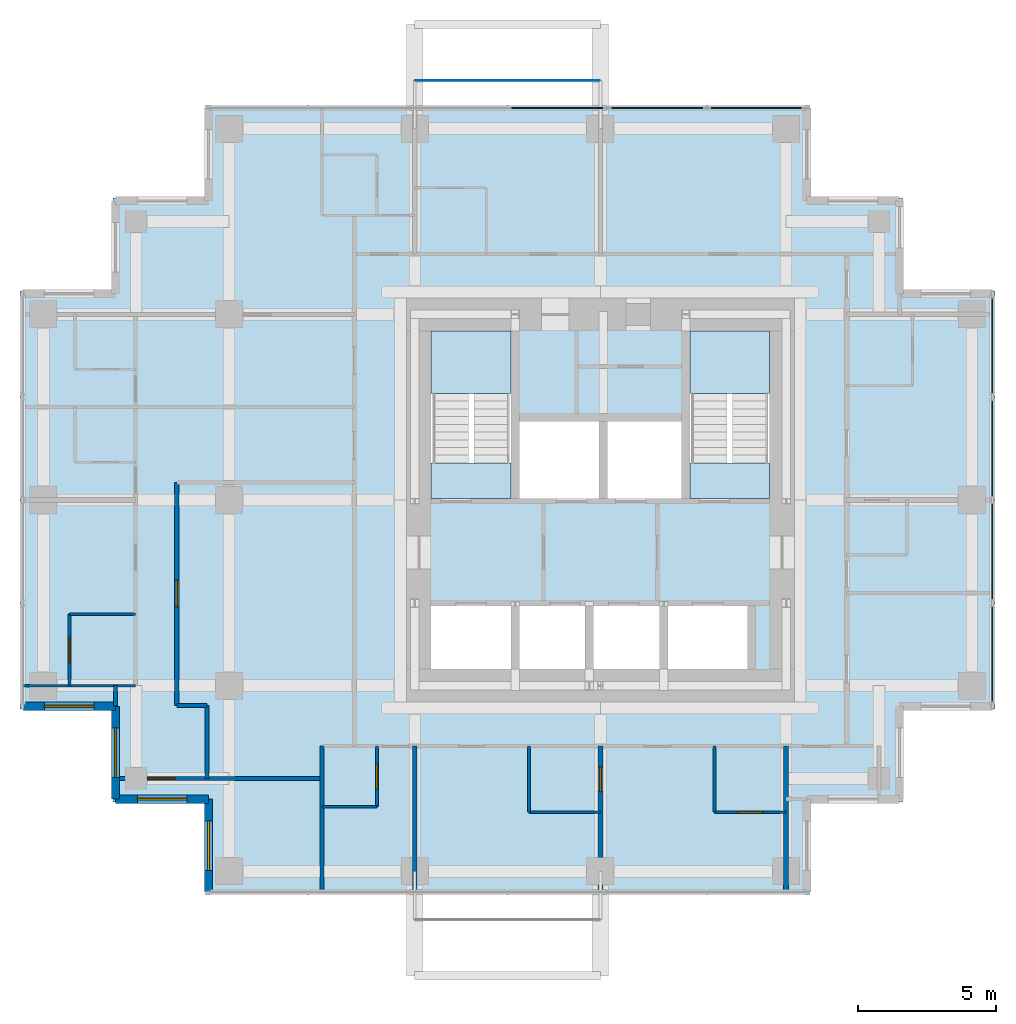
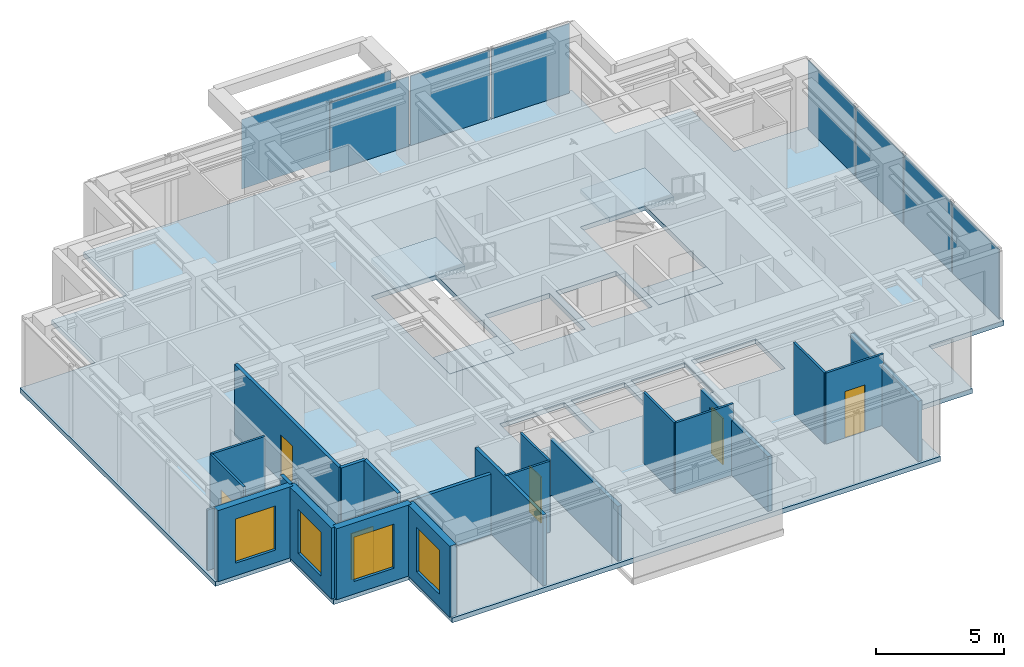
# One storey, part 3 of 8: 22 walls, 8 plates, 6 doors, 5 slabs, 4 windows, 10 openings, 4 elements without a shape of their own.
"""IFC4 building model written with IfcOpenShell, lengths in metres."""

from ifc_helpers import new_model, si_unit, direction, frame, frame_2d, origin, origin_2d, place, context, subcontext, project, spatial, polyline, rectangle, outline, extrude, material, layer, layer_set, type_object, element, fill, aggregate, save


model = new_model("IFC4")

# Units and contexts
model_context = context("Model", 3, precision=1e-05, world=origin(), true_north=direction((0.0, 1.0)))
body_context = subcontext(model_context, "Body", "Model", "MODEL_VIEW")
ifc_project = project(units=[si_unit("LENGTHUNIT", "METRE"), si_unit("AREAUNIT", "SQUARE_METRE"), si_unit("VOLUMEUNIT", "CUBIC_METRE"), si_unit("PLANEANGLEUNIT", "RADIAN"), si_unit("MASSUNIT", "GRAM", prefix="KILO")], contexts=[model_context])

# Site, building, storey
site_placement = place(None, origin())
site = spatial("IfcSite", under=ifc_project, at=site_placement, CompositionType="ELEMENT")
building_placement = place(site_placement, origin())
building = spatial("IfcBuilding", under=site, at=building_placement, Name="Nyansa Garden Tower", CompositionType="ELEMENT")
storey_placement = place(building_placement, frame((0.0, 0.0, 229.5)))
storey = spatial("IfcBuildingStorey", under=building, at=storey_placement, Name="L62", CompositionType="ELEMENT", Elevation=229.5)

# Curtain wall, plates
ifc_material_1 = material(Name="Black anodised aluminium, dark tinted double glazing", Category="aluminium")
curtain_wall_type = type_object("IfcCurtainWallType", Name="Inner skin curtain wall ISW-D", PredefinedType="USERDEFINED", material=ifc_material_1)
curtain_wall_1_placement = place(storey_placement, origin())
curtain_wall_1 = element("IfcCurtainWall", 1, at=curtain_wall_1_placement, inside=storey, type_object=curtain_wall_type, Name="Inner skin curtain wall L62 E", ObjectType="UNITISED CURTAIN WALL", PredefinedType="USERDEFINED")
ifc_material_2 = material(Name="Dark tinted laminated double glazing", Category="glass")
ifc_layer_1 = layer(ifc_material_2, 0.0439453125)
ifc_layer_set_1 = layer_set([ifc_layer_1], Name="Dark tinted vision panel VP-D")
plate_type_1 = type_object("IfcPlateType", Name="Dark tinted vision panel VP-D", PredefinedType="CURTAIN_PANEL", material=ifc_layer_set_1)
plate_1_placement = place(storey_placement, frame((34.5, 14.642578125, 0.0), z_axis=(0.0, 0.0, 1.0), x_axis=(0.0, 1.0, 0.0)))
plate_1 = element("IfcPlate", 2, at=plate_1_placement, type_object=plate_type_1, Name="ISW-D panel 1", PredefinedType="CURTAIN_PANEL", context=body_context, shape_type="SweptSolid", body=[
    extrude(rectangle(XDim=3.64501953125, YDim=0.0439453125, at=origin_2d()), origin(), (0.0, 0.0, 1.0), 3.304931640625),
])
plate_2_placement = place(storey_placement, frame((34.5, 18.375, 0.0), z_axis=(0.0, 0.0, 1.0), x_axis=(0.0, 1.0, 0.0)))
plate_2 = element("IfcPlate", 3, at=plate_2_placement, type_object=plate_type_1, Name="ISW-D panel 2", PredefinedType="CURTAIN_PANEL", context=body_context, shape_type="SweptSolid", body=[
    extrude(rectangle(XDim=3.679931640625, YDim=0.0439453125, at=origin_2d()), origin(), (0.0, 0.0, 1.0), 3.304931640625),
])
plate_3_placement = place(storey_placement, frame((34.5, 22.125, 0.0), z_axis=(0.0, 0.0, 1.0), x_axis=(0.0, 1.0, 0.0)))
plate_3 = element("IfcPlate", 4, at=plate_3_placement, type_object=plate_type_1, Name="ISW-D panel 3", PredefinedType="CURTAIN_PANEL", context=body_context, shape_type="SweptSolid", body=[
    extrude(rectangle(XDim=3.679931640625, YDim=0.0439453125, at=origin_2d()), origin(), (0.0, 0.0, 1.0), 3.304931640625),
])
plate_4_placement = place(storey_placement, frame((34.5, 25.857421875, 0.0), z_axis=(0.0, 0.0, 1.0), x_axis=(0.0, 1.0, 0.0)))
plate_4 = element("IfcPlate", 5, at=plate_4_placement, type_object=plate_type_1, Name="ISW-D panel 4", PredefinedType="CURTAIN_PANEL", context=body_context, shape_type="SweptSolid", body=[
    extrude(rectangle(XDim=3.64501953125, YDim=0.0439453125, at=origin_2d()), origin(), (0.0, 0.0, 1.0), 3.304931640625),
])
aggregate(curtain_wall_1, [plate_1, plate_2, plate_3, plate_4])

curtain_wall_2_placement = place(storey_placement, origin())
curtain_wall_2 = element("IfcCurtainWall", 6, at=curtain_wall_2_placement, inside=storey, type_object=curtain_wall_type, Name="Inner skin curtain wall L62 N", ObjectType="UNITISED CURTAIN WALL", PredefinedType="USERDEFINED")
plate_5_placement = place(storey_placement, frame((25.919921875, 34.5, 0.0), z_axis=(0.0, 0.0, 1.0), x_axis=(-1.0, 0.0, 0.0)))
plate_5 = element("IfcPlate", 7, at=plate_5_placement, type_object=plate_type_1, Name="ISW-D panel 1", PredefinedType="CURTAIN_PANEL", context=body_context, shape_type="SweptSolid", body=[
    extrude(rectangle(XDim=3.52001953125, YDim=0.0439453125, at=origin_2d()), origin(), (0.0, 0.0, 1.0), 3.304931640625),
])
plate_6_placement = place(storey_placement, frame((22.3125, 34.5, 0.0), z_axis=(0.0, 0.0, 1.0), x_axis=(-1.0, 0.0, 0.0)))
plate_6 = element("IfcPlate", 8, at=plate_6_placement, type_object=plate_type_1, Name="ISW-D panel 2", PredefinedType="CURTAIN_PANEL", context=body_context, shape_type="SweptSolid", body=[
    extrude(rectangle(XDim=3.554931640625, YDim=0.0439453125, at=origin_2d()), origin(), (0.0, 0.0, 1.0), 3.304931640625),
])
plate_7_placement = place(storey_placement, frame((18.6875, 34.5, 0.0), z_axis=(0.0, 0.0, 1.0), x_axis=(-1.0, 0.0, 0.0)))
plate_7 = element("IfcPlate", 9, at=plate_7_placement, type_object=plate_type_1, Name="ISW-D panel 3", PredefinedType="CURTAIN_PANEL", context=body_context, shape_type="SweptSolid", body=[
    extrude(rectangle(XDim=3.554931640625, YDim=0.0439453125, at=origin_2d()), origin(), (0.0, 0.0, 1.0), 3.304931640625),
])
aggregate(curtain_wall_2, [plate_5, plate_6, plate_7])

# Slab
ifc_material_3 = material(Name="Concrete C40/50", Category="concrete")
ifc_layer_2 = layer(ifc_material_3, 0.22509765625)
ifc_layer_set_2 = layer_set([ifc_layer_2], Name="Floor slab FS225")
slab_type_1 = type_object("IfcSlabType", Name="Floor slab FS225", PredefinedType="FLOOR", material=ifc_layer_set_2)
slab_1_placement = place(storey_placement, frame((0.0, 0.0, -0.22509765625)))
element("IfcSlab", 10, at=slab_1_placement, inside=storey, type_object=slab_type_1, Name="Floor slab L62", PredefinedType="FLOOR", context=body_context, shape_type="SweptSolid", body=[
    extrude(outline(polyline([(34.60009765625, 12.64990234375), (31.22509765625, 12.64990234375), (31.22509765625, 9.27490234375), (27.85009765625, 9.27490234375), (27.85009765625, 5.89990234375), (5.89990234375, 5.89990234375), (5.89990234375, 9.27490234375), (2.52490234375, 9.27490234375), (2.52490234375, 12.64990234375), (-0.85009765625, 12.64990234375), (-0.85009765625, 27.85009765625), (2.52490234375, 27.85009765625), (2.52490234375, 31.22509765625), (5.89990234375, 31.22509765625), (5.89990234375, 34.60009765625), (27.85009765625, 34.60009765625), (27.85009765625, 31.22509765625), (31.22509765625, 31.22509765625), (31.22509765625, 27.85009765625), (34.60009765625, 27.85009765625), (34.60009765625, 12.64990234375)]), holes=[polyline([(14.10009765625, 14.10009765625), (17.0, 14.10009765625), (17.0, 16.39990234375), (14.10009765625, 16.39990234375), (14.10009765625, 14.10009765625)]), polyline([(17.300048828125, 14.10009765625), (19.699951171875, 14.10009765625), (19.699951171875, 16.39990234375), (17.300048828125, 16.39990234375), (17.300048828125, 14.10009765625)]), polyline([(20.0, 14.10009765625), (22.39990234375, 14.10009765625), (22.39990234375, 16.39990234375), (20.0, 16.39990234375), (20.0, 14.10009765625)]), polyline([(22.699951171875, 14.10009765625), (25.60009765625, 14.10009765625), (25.60009765625, 16.39990234375), (22.699951171875, 16.39990234375), (22.699951171875, 14.10009765625)]), polyline([(17.300048828125, 20.300048828125), (20.199951171875, 20.300048828125), (20.199951171875, 23.10009765625), (17.300048828125, 23.10009765625), (17.300048828125, 20.300048828125)]), polyline([(20.5, 20.300048828125), (23.199951171875, 20.300048828125), (23.199951171875, 23.10009765625), (20.5, 23.10009765625), (20.5, 20.300048828125)]), polyline([(14.10009765625, 20.300048828125), (17.0, 20.300048828125), (17.0, 26.39990234375), (14.10009765625, 26.39990234375), (14.10009765625, 20.300048828125)]), polyline([(23.5, 20.300048828125), (26.39990234375, 20.300048828125), (26.39990234375, 26.39990234375), (23.5, 26.39990234375), (23.5, 20.300048828125)])]), origin(), (0.0, 0.0, 1.0), 0.22509765625),
])

# Plate
ifc_material_4 = material(Name="Dark tinted laminated glass", Category="glass")
ifc_layer_3 = layer(ifc_material_4, 0.02392578125)
ifc_layer_set_3 = layer_set([ifc_layer_3], Name="Outer skin glass panel OS1")
plate_type_2 = type_object("IfcPlateType", Name="Outer skin glass panel OS1", PredefinedType="USERDEFINED", material=ifc_layer_set_3)
plate_8_placement = place(storey_placement, frame((16.875, 35.5, -0.22509765625), z_axis=(0.0, 0.0, 1.0), x_axis=(1.0, 0.0, 0.0)))
element("IfcPlate", 11, at=plate_8_placement, inside=storey, type_object=plate_type_2, Name="Outer skin glass panel L62", ObjectType="OUTER SKIN GLASS", PredefinedType="USERDEFINED", context=body_context, shape_type="SweptSolid", body=[
    extrude(rectangle(XDim=6.7099609375, YDim=0.02392578125, at=origin_2d()), origin(), (0.0, 0.0, 1.0), 3.300048828125),
])

# Stair, slabs
ifc_material_5 = material(Name="Precast concrete C40/50", Category="concrete")
stair_type_1 = type_object("IfcStairType", Name="Stair S1 180x280", PredefinedType="HALF_TURN_STAIR", material=ifc_material_5)
stair_1_placement = place(storey_placement, origin())
stair_1 = element("IfcStair", 12, at=stair_1_placement, inside=storey, type_object=stair_type_1, Name="Stair S1 L62", PredefinedType="HALF_TURN_STAIR")
ifc_material_6 = material(Name="Concrete C40/50", Category="concrete")
ifc_layer_4 = layer(ifc_material_6, 0.199951171875)
ifc_layer_set_4 = layer_set([ifc_layer_4], Name="Stair landing SL200")
slab_type_2 = type_object("IfcSlabType", Name="Stair landing SL200", PredefinedType="LANDING", material=ifc_layer_set_4)
slab_2_placement = place(storey_placement, frame((0.0, 0.0, -0.199951171875)))
slab_2 = element("IfcSlab", 13, at=slab_2_placement, type_object=slab_type_2, Name="S1 landing 1", PredefinedType="LANDING", context=body_context, shape_type="SweptSolid", body=[
    extrude(outline(polyline([(14.10009765625, 20.300048828125), (17.0, 20.300048828125), (17.0, 21.60009765625), (14.10009765625, 21.60009765625), (14.10009765625, 20.300048828125)])), origin(), (0.0, 0.0, 1.0), 0.199951171875),
])
slab_3_placement = place(storey_placement, frame((0.0, 0.0, 1.60009765625)))
slab_3 = element("IfcSlab", 14, at=slab_3_placement, type_object=slab_type_2, Name="S1 landing 2", PredefinedType="LANDING", context=body_context, shape_type="SweptSolid", body=[
    extrude(outline(polyline([(14.10009765625, 24.1201171875), (17.0, 24.1201171875), (17.0, 26.39990234375), (14.10009765625, 26.39990234375), (14.10009765625, 24.1201171875)])), origin(), (0.0, 0.0, 1.0), 0.199951171875),
])
aggregate(stair_1, [slab_2, slab_3])

ifc_material_7 = material(Name="Precast concrete C40/50", Category="concrete")
stair_type_2 = type_object("IfcStairType", Name="Stair S2 180x280", PredefinedType="HALF_TURN_STAIR", material=ifc_material_7)
stair_2_placement = place(storey_placement, origin())
stair_2 = element("IfcStair", 15, at=stair_2_placement, inside=storey, type_object=stair_type_2, Name="Stair S2 L62", PredefinedType="HALF_TURN_STAIR")
slab_4_placement = place(storey_placement, frame((0.0, 0.0, -0.199951171875)))
slab_4 = element("IfcSlab", 16, at=slab_4_placement, type_object=slab_type_2, Name="S2 landing 1", PredefinedType="LANDING", context=body_context, shape_type="SweptSolid", body=[
    extrude(outline(polyline([(23.5, 20.300048828125), (26.39990234375, 20.300048828125), (26.39990234375, 21.60009765625), (23.5, 21.60009765625), (23.5, 20.300048828125)])), origin(), (0.0, 0.0, 1.0), 0.199951171875),
])
slab_5_placement = place(storey_placement, frame((0.0, 0.0, 1.60009765625)))
slab_5 = element("IfcSlab", 17, at=slab_5_placement, type_object=slab_type_2, Name="S2 landing 2", PredefinedType="LANDING", context=body_context, shape_type="SweptSolid", body=[
    extrude(outline(polyline([(23.5, 24.1201171875), (26.39990234375, 24.1201171875), (26.39990234375, 26.39990234375), (23.5, 26.39990234375), (23.5, 24.1201171875)])), origin(), (0.0, 0.0, 1.0), 0.199951171875),
])
aggregate(stair_2, [slab_4, slab_5])

# Wall
ifc_material_8 = material(Name="Dense blockwork, plastered both sides, 55 dB", Category="masonry")
ifc_layer_5 = layer(ifc_material_8, 0.175048828125)
ifc_layer_set_5 = layer_set([ifc_layer_5], Name="Acoustic party wall PW175")
wall_type_1 = type_object("IfcWallType", Name="Acoustic party wall PW175", PredefinedType="PARTITIONING", material=ifc_layer_set_5)
wall_1_placement = place(storey_placement, frame((13.5, 6.01611328125, 0.0), z_axis=(0.0, 0.0, 1.0), x_axis=(0.0, 1.0, 0.0)))
element("IfcWall", 18, at=wall_1_placement, inside=storey, type_object=wall_type_1, Name="Party wall", PredefinedType="PARTITIONING", context=body_context, shape_type="SweptSolid", body=[
    extrude(rectangle(XDim=5.283935546875, YDim=0.175048828125, at=frame_2d((2.64208984375, 0.0))), origin(), (0.0, 0.0, 1.0), 2.610107421875),
])

# Wall, opening, door
wall_2_placement = place(storey_placement, frame((20.25, 6.01611328125, 0.0), z_axis=(0.0, 0.0, 1.0), x_axis=(0.0, 1.0, 0.0)))
wall_2 = element("IfcWall", 19, at=wall_2_placement, inside=storey, type_object=wall_type_1, Name="Party wall", PredefinedType="PARTITIONING", context=body_context, shape_type="SweptSolid", body=[
    extrude(rectangle(XDim=5.283935546875, YDim=0.175048828125, at=frame_2d((2.64208984375, 0.0))), origin(), (0.0, 0.0, 1.0), 2.610107421875),
])
opening_1_placement = place(wall_2_placement, frame((3.634033203125, 0.0, 0.0)))
opening_1 = element("IfcOpeningElement", 20, at=opening_1_placement, cuts=wall_2, Name="Opening D02", PredefinedType="OPENING", context=body_context, shape_type="SweptSolid", body=[
    extrude(rectangle(XDim=0.89990234375, YDim=2.199951171875, at=frame_2d((0.449951171875, 1.10009765625))), frame((0.0, 0.097412109375, 0.0), z_axis=(0.0, -1.0, 0.0), x_axis=(1.0, 0.0, 0.0)), (0.0, 0.0, 1.0), 0.195068359375),
])
ifc_material_9 = material(Name="Timber flush door", Category="wood")
door_type_1 = type_object("IfcDoorType", Name="En-suite door D02 900x2200", OperationType="SINGLE_SWING_RIGHT", PredefinedType="DOOR", material=ifc_material_9)
door_1_placement = place(opening_1_placement, origin())
door_1 = element("IfcDoor", 21, at=door_1_placement, inside=storey, type_object=door_type_1, Name="Door L62-022", OperationType="SINGLE_SWING_RIGHT", OverallHeight=2.199951171875, OverallWidth=0.89990234375, PredefinedType="DOOR", context=body_context, shape_type="SweptSolid", body=[
    extrude(rectangle(XDim=0.89990234375, YDim=2.199951171875, at=frame_2d((0.449951171875, 1.10009765625))), frame((0.0, 0.02490234375, 0.0), z_axis=(0.0, -1.0, 0.0), x_axis=(1.0, 0.0, 0.0)), (0.0, 0.0, 1.0), 0.050048828125),
])
fill(opening_1, door_1)

# Walls
wall_3_placement = place(storey_placement, frame((27.0, 6.01611328125, 0.0), z_axis=(0.0, 0.0, 1.0), x_axis=(0.0, 1.0, 0.0)))
element("IfcWall", 22, at=wall_3_placement, inside=storey, type_object=wall_type_1, Name="Party wall", PredefinedType="PARTITIONING", context=body_context, shape_type="SweptSolid", body=[
    extrude(rectangle(XDim=5.283935546875, YDim=0.175048828125, at=frame_2d((2.64208984375, 0.0))), origin(), (0.0, 0.0, 1.0), 2.876953125),
])
ifc_material_10 = material(Name="Blockwork, plastered both sides", Category="masonry")
ifc_layer_6 = layer(ifc_material_10, 0.14990234375)
ifc_layer_set_6 = layer_set([ifc_layer_6], Name="Partition PW150")
wall_type_2 = type_object("IfcWallType", Name="Partition PW150", PredefinedType="PARTITIONING", material=ifc_layer_set_6)
wall_4_placement = place(storey_placement, frame((2.625, 12.76611328125, 0.0), z_axis=(0.0, 0.0, 1.0), x_axis=(0.0, 1.0, 0.0)))
element("IfcWall", 23, at=wall_4_placement, inside=storey, type_object=wall_type_2, Name="Partition", PredefinedType="PARTITIONING", context=body_context, shape_type="SweptSolid", body=[
    extrude(rectangle(XDim=0.73388671875, YDim=0.14990234375, at=frame_2d((0.366943359375, 0.0))), origin(), (0.0, 0.0, 1.0), 3.375),
])

# Wall, opening, door
wall_5_placement = place(storey_placement, frame((2.77490234375, 10.125, 0.0), z_axis=(0.0, 0.0, 1.0), x_axis=(1.0, 0.0, 0.0)))
wall_5 = element("IfcWall", 24, at=wall_5_placement, inside=storey, type_object=wall_type_2, Name="Partition", PredefinedType="PARTITIONING", context=body_context, shape_type="SweptSolid", body=[
    extrude(rectangle(XDim=7.35009765625, YDim=0.14990234375, at=frame_2d((3.675048828125, 0.0))), origin(), (0.0, 0.0, 1.0), 2.876953125),
])
opening_2_placement = place(wall_5_placement, frame((1.01611328125, 0.0, 0.0)))
opening_2 = element("IfcOpeningElement", 25, at=opening_2_placement, cuts=wall_5, Name="Opening D03", PredefinedType="OPENING", context=body_context, shape_type="SweptSolid", body=[
    extrude(rectangle(XDim=1.0, YDim=2.199951171875, at=frame_2d((0.5, 1.10009765625))), frame((0.0, 0.0849609375, 0.0), z_axis=(0.0, -1.0, 0.0), x_axis=(1.0, 0.0, 0.0)), (0.0, 0.0, 1.0), 0.169921875),
])
ifc_material_11 = material(Name="Timber flush door, 60 minute fire resisting", Category="wood")
door_type_2 = type_object("IfcDoorType", Name="Cluster entrance door D03 1000x2200", OperationType="SINGLE_SWING_LEFT", PredefinedType="DOOR", material=ifc_material_11)
door_2_placement = place(opening_2_placement, origin())
door_2 = element("IfcDoor", 26, at=door_2_placement, inside=storey, type_object=door_type_2, Name="Door L62-018", OperationType="SINGLE_SWING_LEFT", OverallHeight=2.199951171875, OverallWidth=1.0, PredefinedType="DOOR", context=body_context, shape_type="SweptSolid", body=[
    extrude(rectangle(XDim=1.0, YDim=2.199951171875, at=frame_2d((0.5, 1.10009765625))), frame((0.0, 0.02490234375, 0.0), z_axis=(0.0, -1.0, 0.0), x_axis=(1.0, 0.0, 0.0)), (0.0, 0.0, 1.0), 0.050048828125),
])
fill(opening_2, door_2)

wall_6_placement = place(storey_placement, frame((4.85009765625, 12.77490234375, 0.0), z_axis=(0.0, 0.0, 1.0), x_axis=(0.0, 1.0, 0.0)))
wall_6 = element("IfcWall", 27, at=wall_6_placement, inside=storey, type_object=wall_type_2, Name="Partition", PredefinedType="PARTITIONING", context=body_context, shape_type="SweptSolid", body=[
    extrude(rectangle(XDim=8.112548828125, YDim=0.14990234375, at=frame_2d((4.05615234375, 0.0))), origin(), (0.0, 0.0, 1.0), 3.375),
])
opening_3_placement = place(wall_6_placement, frame((3.60009765625, 0.0, 0.0)))
opening_3 = element("IfcOpeningElement", 28, at=opening_3_placement, cuts=wall_6, Name="Opening D01", PredefinedType="OPENING", context=body_context, shape_type="SweptSolid", body=[
    extrude(rectangle(XDim=0.949951171875, YDim=2.199951171875, at=frame_2d((0.47509765625, 1.10009765625))), frame((0.0, 0.0849609375, 0.0), z_axis=(0.0, -1.0, 0.0), x_axis=(1.0, 0.0, 0.0)), (0.0, 0.0, 1.0), 0.169921875),
])
ifc_material_12 = material(Name="Timber flush door, 30 minute fire resisting", Category="wood")
door_type_3 = type_object("IfcDoorType", Name="Bedroom door D01 950x2200", OperationType="SINGLE_SWING_LEFT", PredefinedType="DOOR", material=ifc_material_12)
door_3_placement = place(opening_3_placement, origin())
door_3 = element("IfcDoor", 29, at=door_3_placement, inside=storey, type_object=door_type_3, Name="Door L62-047", OperationType="SINGLE_SWING_LEFT", OverallHeight=2.199951171875, OverallWidth=0.949951171875, PredefinedType="DOOR", context=body_context, shape_type="SweptSolid", body=[
    extrude(rectangle(XDim=0.949951171875, YDim=2.199951171875, at=frame_2d((0.47509765625, 1.10009765625))), frame((0.0, 0.02490234375, 0.0), z_axis=(0.0, -1.0, 0.0), x_axis=(1.0, 0.0, 0.0)), (0.0, 0.0, 1.0), 0.050048828125),
])
fill(opening_3, door_3)

# Walls
wall_7_placement = place(storey_placement, frame((4.85009765625, 12.77490234375, 0.0), z_axis=(0.0, 0.0, 1.0), x_axis=(1.0, 0.0, 0.0)))
element("IfcWall", 30, at=wall_7_placement, inside=storey, type_object=wall_type_2, Name="Partition", PredefinedType="PARTITIONING", context=body_context, shape_type="SweptSolid", body=[
    extrude(rectangle(XDim=1.099853515625, YDim=0.14990234375, at=frame_2d((0.5498046875, 0.0))), origin(), (0.0, 0.0, 1.0), 3.375),
])
wall_8_placement = place(storey_placement, frame((5.949951171875, 10.125, 0.0), z_axis=(0.0, 0.0, 1.0), x_axis=(0.0, 1.0, 0.0)))
element("IfcWall", 31, at=wall_8_placement, inside=storey, type_object=wall_type_2, Name="Partition", PredefinedType="PARTITIONING", context=body_context, shape_type="SweptSolid", body=[
    extrude(rectangle(XDim=2.64990234375, YDim=0.14990234375, at=frame_2d((1.324951171875, 0.0))), origin(), (0.0, 0.0, 1.0), 3.375),
])
wall_9_placement = place(storey_placement, frame((10.125, 6.01611328125, 0.0), z_axis=(0.0, 0.0, 1.0), x_axis=(0.0, 1.0, 0.0)))
element("IfcWall", 32, at=wall_9_placement, inside=storey, type_object=wall_type_2, Name="Partition", PredefinedType="PARTITIONING", context=body_context, shape_type="SweptSolid", body=[
    extrude(rectangle(XDim=5.283935546875, YDim=0.14990234375, at=frame_2d((2.64208984375, 0.0))), origin(), (0.0, 0.0, 1.0), 3.375),
])

# Wall, opening, window
ifc_material_13 = material(Name="Turquoise glazed tile on concrete blockwork", Category="masonry")
ifc_layer_7 = layer(ifc_material_13, 0.300048828125)
ifc_layer_set_7 = layer_set([ifc_layer_7], Name="Tiled corner wall TW300")
wall_type_3 = type_object("IfcWallType", Name="Tiled corner wall TW300", PredefinedType="SOLIDWALL", material=ifc_layer_set_7)
wall_10_placement = place(storey_placement, frame((-0.75, 12.75, 0.0), z_axis=(0.0, 0.0, 1.0), x_axis=(1.0, 0.0, 0.0)))
wall_10 = element("IfcWall", 33, at=wall_10_placement, inside=storey, type_object=wall_type_3, Name="Tiled corner wall L62", PredefinedType="SOLIDWALL", context=body_context, shape_type="SweptSolid", body=[
    extrude(rectangle(XDim=3.375, YDim=0.300048828125, at=frame_2d((1.6875, 0.0))), origin(), (0.0, 0.0, 1.0), 3.375),
])
opening_4_placement = place(wall_10_placement, frame((0.78759765625, 0.0, 0.60009765625)))
opening_4 = element("IfcOpeningElement", 34, at=opening_4_placement, cuts=wall_10, Name="Opening W2", PredefinedType="OPENING", context=body_context, shape_type="SweptSolid", body=[
    extrude(rectangle(XDim=1.800048828125, YDim=2.10009765625, at=frame_2d((0.89990234375, 1.050048828125))), frame((0.0, 0.159912109375, 0.0), z_axis=(0.0, -1.0, 0.0), x_axis=(1.0, 0.0, 0.0)), (0.0, 0.0, 1.0), 0.320068359375),
])
ifc_material_14 = material(Name="Black aluminium frame, dark tinted double glazing", Category="aluminium")
window_type = type_object("IfcWindowType", Name="Window W2 1800x2100", PartitioningType="SINGLE_PANEL", PredefinedType="WINDOW", material=ifc_material_14)
window_1_placement = place(opening_4_placement, origin())
window_1 = element("IfcWindow", 35, at=window_1_placement, inside=storey, type_object=window_type, Name="Corner window L62", OverallHeight=2.10009765625, OverallWidth=1.800048828125, PartitioningType="SINGLE_PANEL", PredefinedType="WINDOW", context=body_context, shape_type="SweptSolid", body=[
    extrude(rectangle(XDim=1.800048828125, YDim=2.10009765625, at=frame_2d((0.89990234375, 1.050048828125))), frame((0.0, 0.030029296875, 0.0), z_axis=(0.0, -1.0, 0.0), x_axis=(1.0, 0.0, 0.0)), (0.0, 0.0, 1.0), 0.06005859375),
])
fill(opening_4, window_1)

wall_11_placement = place(storey_placement, frame((2.625, 12.75, 0.0), z_axis=(0.0, 0.0, 1.0), x_axis=(0.0, -1.0, 0.0)))
wall_11 = element("IfcWall", 36, at=wall_11_placement, inside=storey, type_object=wall_type_3, Name="Tiled corner wall L62", PredefinedType="SOLIDWALL", context=body_context, shape_type="SweptSolid", body=[
    extrude(rectangle(XDim=3.375, YDim=0.300048828125, at=frame_2d((1.6875, 0.0))), origin(), (0.0, 0.0, 1.0), 3.375),
])
opening_5_placement = place(wall_11_placement, frame((0.78759765625, 0.0, 0.60009765625)))
opening_5 = element("IfcOpeningElement", 37, at=opening_5_placement, cuts=wall_11, Name="Opening W2", PredefinedType="OPENING", context=body_context, shape_type="SweptSolid", body=[
    extrude(rectangle(XDim=1.800048828125, YDim=2.10009765625, at=frame_2d((0.89990234375, 1.050048828125))), frame((0.0, 0.159912109375, 0.0), z_axis=(0.0, -1.0, 0.0), x_axis=(1.0, 0.0, 0.0)), (0.0, 0.0, 1.0), 0.320068359375),
])
window_2_placement = place(opening_5_placement, origin())
window_2 = element("IfcWindow", 38, at=window_2_placement, inside=storey, type_object=window_type, Name="Corner window L62", OverallHeight=2.10009765625, OverallWidth=1.800048828125, PartitioningType="SINGLE_PANEL", PredefinedType="WINDOW", context=body_context, shape_type="SweptSolid", body=[
    extrude(rectangle(XDim=1.800048828125, YDim=2.10009765625, at=frame_2d((0.89990234375, 1.050048828125))), frame((0.0, 0.030029296875, 0.0), z_axis=(0.0, -1.0, 0.0), x_axis=(1.0, 0.0, 0.0)), (0.0, 0.0, 1.0), 0.06005859375),
])
fill(opening_5, window_2)

wall_12_placement = place(storey_placement, frame((2.625, 9.375, 0.0), z_axis=(0.0, 0.0, 1.0), x_axis=(1.0, 0.0, 0.0)))
wall_12 = element("IfcWall", 39, at=wall_12_placement, inside=storey, type_object=wall_type_3, Name="Tiled corner wall L62", PredefinedType="SOLIDWALL", context=body_context, shape_type="SweptSolid", body=[
    extrude(rectangle(XDim=3.375, YDim=0.300048828125, at=frame_2d((1.6875, 0.0))), origin(), (0.0, 0.0, 1.0), 3.375),
])
opening_6_placement = place(wall_12_placement, frame((0.78759765625, 0.0, 0.60009765625)))
opening_6 = element("IfcOpeningElement", 40, at=opening_6_placement, cuts=wall_12, Name="Opening W2", PredefinedType="OPENING", context=body_context, shape_type="SweptSolid", body=[
    extrude(rectangle(XDim=1.800048828125, YDim=2.10009765625, at=frame_2d((0.89990234375, 1.050048828125))), frame((0.0, 0.159912109375, 0.0), z_axis=(0.0, -1.0, 0.0), x_axis=(1.0, 0.0, 0.0)), (0.0, 0.0, 1.0), 0.320068359375),
])
window_3_placement = place(opening_6_placement, origin())
window_3 = element("IfcWindow", 41, at=window_3_placement, inside=storey, type_object=window_type, Name="Corner window L62", OverallHeight=2.10009765625, OverallWidth=1.800048828125, PartitioningType="SINGLE_PANEL", PredefinedType="WINDOW", context=body_context, shape_type="SweptSolid", body=[
    extrude(rectangle(XDim=1.800048828125, YDim=2.10009765625, at=frame_2d((0.89990234375, 1.050048828125))), frame((0.0, 0.030029296875, 0.0), z_axis=(0.0, -1.0, 0.0), x_axis=(1.0, 0.0, 0.0)), (0.0, 0.0, 1.0), 0.06005859375),
])
fill(opening_6, window_3)

wall_13_placement = place(storey_placement, frame((6.0, 9.375, 0.0), z_axis=(0.0, 0.0, 1.0), x_axis=(0.0, -1.0, 0.0)))
wall_13 = element("IfcWall", 42, at=wall_13_placement, inside=storey, type_object=wall_type_3, Name="Tiled corner wall L62", PredefinedType="SOLIDWALL", context=body_context, shape_type="SweptSolid", body=[
    extrude(rectangle(XDim=3.375, YDim=0.300048828125, at=frame_2d((1.6875, 0.0))), origin(), (0.0, 0.0, 1.0), 3.375),
])
opening_7_placement = place(wall_13_placement, frame((0.78759765625, 0.0, 0.60009765625)))
opening_7 = element("IfcOpeningElement", 43, at=opening_7_placement, cuts=wall_13, Name="Opening W2", PredefinedType="OPENING", context=body_context, shape_type="SweptSolid", body=[
    extrude(rectangle(XDim=1.800048828125, YDim=2.10009765625, at=frame_2d((0.89990234375, 1.050048828125))), frame((0.0, 0.159912109375, 0.0), z_axis=(0.0, -1.0, 0.0), x_axis=(1.0, 0.0, 0.0)), (0.0, 0.0, 1.0), 0.320068359375),
])
window_4_placement = place(opening_7_placement, origin())
window_4 = element("IfcWindow", 44, at=window_4_placement, inside=storey, type_object=window_type, Name="Corner window L62", OverallHeight=2.10009765625, OverallWidth=1.800048828125, PartitioningType="SINGLE_PANEL", PredefinedType="WINDOW", context=body_context, shape_type="SweptSolid", body=[
    extrude(rectangle(XDim=1.800048828125, YDim=2.10009765625, at=frame_2d((0.89990234375, 1.050048828125))), frame((0.0, 0.030029296875, 0.0), z_axis=(0.0, -1.0, 0.0), x_axis=(1.0, 0.0, 0.0)), (0.0, 0.0, 1.0), 0.06005859375),
])
fill(opening_7, window_4)

# Wall
ifc_material_15 = material(Name="Moisture resistant board on steel studs, tiled", Category="steel")
ifc_layer_8 = layer(ifc_material_15, 0.10009765625)
ifc_layer_set_8 = layer_set([ifc_layer_8], Name="Wet wall PW100")
wall_type_4 = type_object("IfcWallType", Name="Wet wall PW100", PredefinedType="PARTITIONING", material=ifc_layer_set_8)
wall_14_placement = place(storey_placement, frame((-0.73388671875, 13.5, 0.0), z_axis=(0.0, 0.0, 1.0), x_axis=(1.0, 0.0, 0.0)))
element("IfcWall", 45, at=wall_14_placement, inside=storey, type_object=wall_type_4, Name="Wet wall", PredefinedType="PARTITIONING", context=body_context, shape_type="SweptSolid", body=[
    extrude(rectangle(XDim=4.083984375, YDim=0.10009765625, at=frame_2d((2.0419921875, 0.0))), origin(), (0.0, 0.0, 1.0), 2.876953125),
])

# Wall, opening, door
wall_15_placement = place(storey_placement, frame((0.949951171875, 13.5, 0.0), z_axis=(0.0, 0.0, 1.0), x_axis=(0.0, 1.0, 0.0)))
wall_15 = element("IfcWall", 46, at=wall_15_placement, inside=storey, type_object=wall_type_4, Name="Wet wall", PredefinedType="PARTITIONING", context=body_context, shape_type="SweptSolid", body=[
    extrude(rectangle(XDim=2.60009765625, YDim=0.10009765625, at=frame_2d((1.300048828125, 0.0))), origin(), (0.0, 0.0, 1.0), 3.375),
])
opening_8_placement = place(wall_15_placement, frame((0.85009765625, 0.0, 0.0)))
opening_8 = element("IfcOpeningElement", 47, at=opening_8_placement, cuts=wall_15, Name="Opening D02", PredefinedType="OPENING", context=body_context, shape_type="SweptSolid", body=[
    extrude(rectangle(XDim=0.89990234375, YDim=2.199951171875, at=frame_2d((0.449951171875, 1.10009765625))), frame((0.0, 0.06005859375, 0.0), z_axis=(0.0, -1.0, 0.0), x_axis=(1.0, 0.0, 0.0)), (0.0, 0.0, 1.0), 0.1201171875),
])
door_4_placement = place(opening_8_placement, origin())
door_4 = element("IfcDoor", 48, at=door_4_placement, inside=storey, type_object=door_type_1, Name="Door L62-043", OperationType="SINGLE_SWING_RIGHT", OverallHeight=2.199951171875, OverallWidth=0.89990234375, PredefinedType="DOOR", context=body_context, shape_type="SweptSolid", body=[
    extrude(rectangle(XDim=0.89990234375, YDim=2.199951171875, at=frame_2d((0.449951171875, 1.10009765625))), frame((0.0, 0.02490234375, 0.0), z_axis=(0.0, -1.0, 0.0), x_axis=(1.0, 0.0, 0.0)), (0.0, 0.0, 1.0), 0.050048828125),
])
fill(opening_8, door_4)

# Walls
wall_16_placement = place(storey_placement, frame((0.949951171875, 16.10009765625, 0.0), z_axis=(0.0, 0.0, 1.0), x_axis=(1.0, 0.0, 0.0)))
element("IfcWall", 49, at=wall_16_placement, inside=storey, type_object=wall_type_4, Name="Wet wall", PredefinedType="PARTITIONING", context=body_context, shape_type="SweptSolid", body=[
    extrude(rectangle(XDim=2.400146484375, YDim=0.10009765625, at=frame_2d((1.2001953125, 0.0))), origin(), (0.0, 0.0, 1.0), 3.375),
])
wall_17_placement = place(storey_placement, frame((10.125, 9.10009765625, 0.0), z_axis=(0.0, 0.0, 1.0), x_axis=(1.0, 0.0, 0.0)))
element("IfcWall", 50, at=wall_17_placement, inside=storey, type_object=wall_type_4, Name="Wet wall", PredefinedType="PARTITIONING", context=body_context, shape_type="SweptSolid", body=[
    extrude(rectangle(XDim=2.0, YDim=0.10009765625, at=frame_2d((1.0, 0.0))), origin(), (0.0, 0.0, 1.0), 3.375),
])

# Wall, opening, door
wall_18_placement = place(storey_placement, frame((12.125, 9.10009765625, 0.0), z_axis=(0.0, 0.0, 1.0), x_axis=(0.0, 1.0, 0.0)))
wall_18 = element("IfcWall", 51, at=wall_18_placement, inside=storey, type_object=wall_type_4, Name="Wet wall", PredefinedType="PARTITIONING", context=body_context, shape_type="SweptSolid", body=[
    extrude(rectangle(XDim=2.199951171875, YDim=0.10009765625, at=frame_2d((1.10009765625, 0.0))), origin(), (0.0, 0.0, 1.0), 3.375),
])
opening_9_placement = place(wall_18_placement, frame((0.64990234375, 0.0, 0.0)))
opening_9 = element("IfcOpeningElement", 52, at=opening_9_placement, cuts=wall_18, Name="Opening D02", PredefinedType="OPENING", context=body_context, shape_type="SweptSolid", body=[
    extrude(rectangle(XDim=0.89990234375, YDim=2.199951171875, at=frame_2d((0.449951171875, 1.10009765625))), frame((0.0, 0.06005859375, 0.0), z_axis=(0.0, -1.0, 0.0), x_axis=(1.0, 0.0, 0.0)), (0.0, 0.0, 1.0), 0.1201171875),
])
door_5_placement = place(opening_9_placement, origin())
door_5 = element("IfcDoor", 53, at=door_5_placement, inside=storey, type_object=door_type_1, Name="Door L62-024", OperationType="SINGLE_SWING_RIGHT", OverallHeight=2.199951171875, OverallWidth=0.89990234375, PredefinedType="DOOR", context=body_context, shape_type="SweptSolid", body=[
    extrude(rectangle(XDim=0.89990234375, YDim=2.199951171875, at=frame_2d((0.449951171875, 1.10009765625))), frame((0.0, 0.02490234375, 0.0), z_axis=(0.0, -1.0, 0.0), x_axis=(1.0, 0.0, 0.0)), (0.0, 0.0, 1.0), 0.050048828125),
])
fill(opening_9, door_5)

# Walls
wall_19_placement = place(storey_placement, frame((17.64990234375, 8.89990234375, 0.0), z_axis=(0.0, 0.0, 1.0), x_axis=(0.0, 1.0, 0.0)))
element("IfcWall", 54, at=wall_19_placement, inside=storey, type_object=wall_type_4, Name="Wet wall", PredefinedType="PARTITIONING", context=body_context, shape_type="SweptSolid", body=[
    extrude(rectangle(XDim=2.400146484375, YDim=0.10009765625, at=frame_2d((1.2001953125, 0.0))), origin(), (0.0, 0.0, 1.0), 3.375),
])
wall_20_placement = place(storey_placement, frame((17.64990234375, 8.89990234375, 0.0), z_axis=(0.0, 0.0, 1.0), x_axis=(1.0, 0.0, 0.0)))
element("IfcWall", 55, at=wall_20_placement, inside=storey, type_object=wall_type_4, Name="Wet wall", PredefinedType="PARTITIONING", context=body_context, shape_type="SweptSolid", body=[
    extrude(rectangle(XDim=2.60009765625, YDim=0.10009765625, at=frame_2d((1.300048828125, 0.0))), origin(), (0.0, 0.0, 1.0), 3.375),
])
wall_21_placement = place(storey_placement, frame((24.39990234375, 8.89990234375, 0.0), z_axis=(0.0, 0.0, 1.0), x_axis=(0.0, 1.0, 0.0)))
element("IfcWall", 56, at=wall_21_placement, inside=storey, type_object=wall_type_4, Name="Wet wall", PredefinedType="PARTITIONING", context=body_context, shape_type="SweptSolid", body=[
    extrude(rectangle(XDim=2.400146484375, YDim=0.10009765625, at=frame_2d((1.2001953125, 0.0))), origin(), (0.0, 0.0, 1.0), 3.375),
])

# Wall, opening, door
wall_22_placement = place(storey_placement, frame((24.39990234375, 8.89990234375, 0.0), z_axis=(0.0, 0.0, 1.0), x_axis=(1.0, 0.0, 0.0)))
wall_22 = element("IfcWall", 57, at=wall_22_placement, inside=storey, type_object=wall_type_4, Name="Wet wall", PredefinedType="PARTITIONING", context=body_context, shape_type="SweptSolid", body=[
    extrude(rectangle(XDim=2.60009765625, YDim=0.10009765625, at=frame_2d((1.300048828125, 0.0))), origin(), (0.0, 0.0, 1.0), 3.375),
])
opening_10_placement = place(wall_22_placement, frame((0.85009765625, 0.0, 0.0)))
opening_10 = element("IfcOpeningElement", 58, at=opening_10_placement, cuts=wall_22, Name="Opening D02", PredefinedType="OPENING", context=body_context, shape_type="SweptSolid", body=[
    extrude(rectangle(XDim=0.89990234375, YDim=2.199951171875, at=frame_2d((0.449951171875, 1.10009765625))), frame((0.0, 0.06005859375, 0.0), z_axis=(0.0, -1.0, 0.0), x_axis=(1.0, 0.0, 0.0)), (0.0, 0.0, 1.0), 0.1201171875),
])
door_6_placement = place(opening_10_placement, origin())
door_6 = element("IfcDoor", 59, at=door_6_placement, inside=storey, type_object=door_type_1, Name="Door L62-020", OperationType="SINGLE_SWING_RIGHT", OverallHeight=2.199951171875, OverallWidth=0.89990234375, PredefinedType="DOOR", context=body_context, shape_type="SweptSolid", body=[
    extrude(rectangle(XDim=0.89990234375, YDim=2.199951171875, at=frame_2d((0.449951171875, 1.10009765625))), frame((0.0, 0.02490234375, 0.0), z_axis=(0.0, -1.0, 0.0), x_axis=(1.0, 0.0, 0.0)), (0.0, 0.0, 1.0), 0.050048828125),
])
fill(opening_10, door_6)

save(model, "model.ifc")
